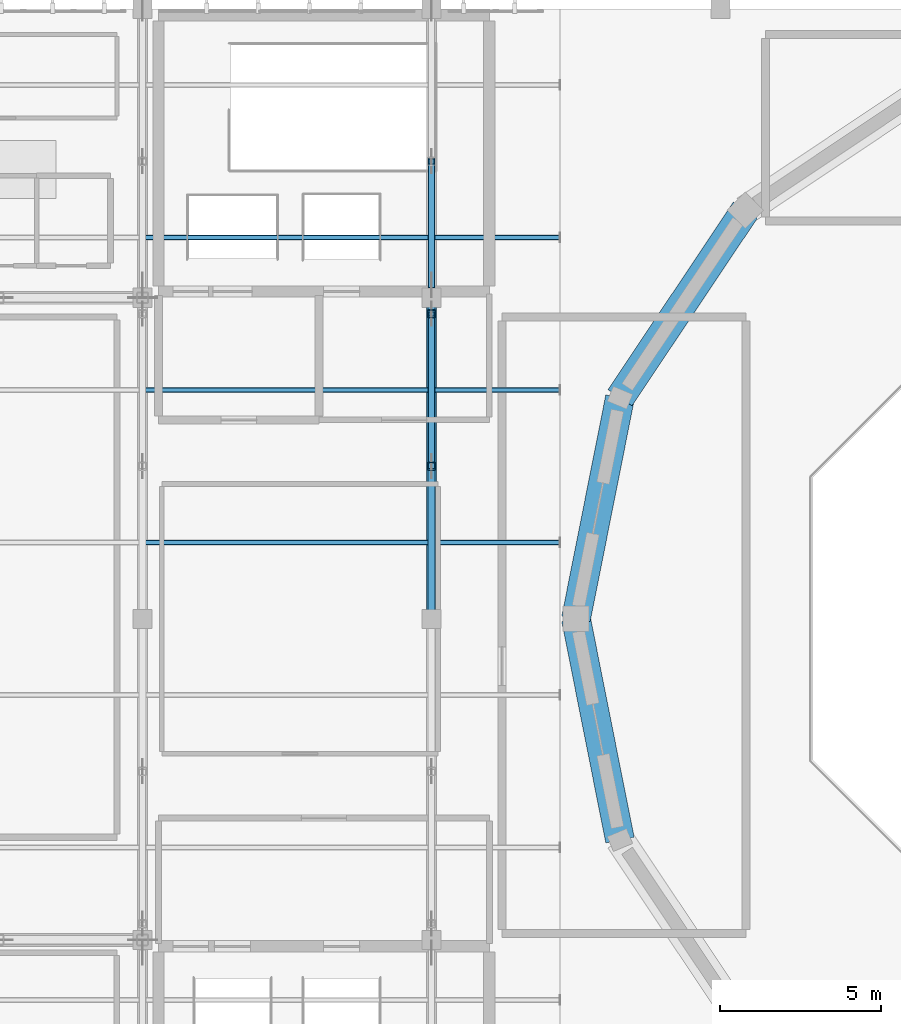
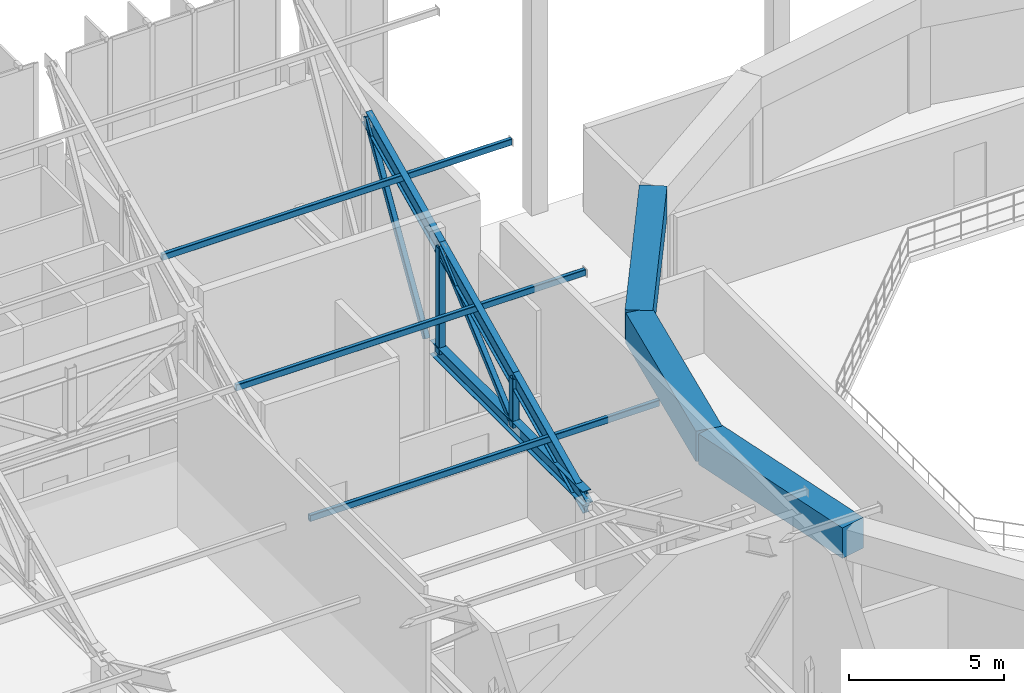
# One storey, part 27 of 68: 7 beams, 7 members.
"""IFC4 building model written with IfcOpenShell, lengths in metres."""

from ifc_helpers import new_model, si_unit, direction, frame, origin, origin_2d, place, context, subcontext, project, spatial, rectangle, hollow_rectangle, i_section, extrude, material, material_profile, profile_set, type_object, element, save


model = new_model("IFC4")

# Units and contexts
model_context = context("Model", 3, precision=1e-05, world=origin(), true_north=direction((0.0, 1.0)))
body_context = subcontext(model_context, "Body", "Model", "MODEL_VIEW")
ifc_project = project(units=[si_unit("LENGTHUNIT", "METRE"), si_unit("AREAUNIT", "SQUARE_METRE"), si_unit("VOLUMEUNIT", "CUBIC_METRE"), si_unit("PLANEANGLEUNIT", "RADIAN"), si_unit("MASSUNIT", "GRAM", prefix="KILO")], contexts=[model_context])

# Site, building, storey
site_placement = place(None, origin())
site = spatial("IfcSite", under=ifc_project, at=site_placement, CompositionType="ELEMENT")
building_placement = place(site_placement, origin())
building = spatial("IfcBuilding", under=site, at=building_placement, Name="Miravela Opera House", CompositionType="ELEMENT")
storey_placement = place(building_placement, frame((0.0, 0.0, 21.760009765625)))
storey = spatial("IfcBuildingStorey", under=building, at=storey_placement, Name="L05", CompositionType="ELEMENT", Elevation=21.760009765625)

# Beams
ifc_material_1 = material(Name="Structural steel ASTM A992 Gr. 50", Category="steel")
ifc_material_profile_1 = material_profile(ifc_material_1, i_section(OverallWidth=0.31201171875, OverallDepth=0.54296875, WebThickness=0.0126953125, FlangeThickness=0.020263671875, FilletRadius=0.01611328125, at=origin_2d()), Name="W530X150")
ifc_profile_set_1 = profile_set([ifc_material_profile_1])
beam_type_1 = type_object("IfcBeamType", Name="STR-BM-W530X150", PredefinedType="BEAM", material=ifc_profile_set_1)
beam_1_placement = place(storey_placement, frame((54.0, 56.080078125, 3.280029296875), z_axis=(0.0, 1.0, 0.0), x_axis=(-1.0, 0.0, 0.0)))
element("IfcBeam", 1, at=beam_1_placement, inside=storey, type_object=beam_type_1, Name="V-Crest Roof Truss Bottom Tie Chord X=54 Seg 3", PredefinedType="BEAM", context=body_context, shape_type="SweptSolid", body=[
    extrude(i_section(OverallWidth=0.31201171875, OverallDepth=0.54296875, WebThickness=0.0126953125, FlangeThickness=0.020263671875, FilletRadius=0.01611328125, at=origin_2d()), origin(), (0.0, 0.0, 1.0), 9.83984375),
])
ifc_material_profile_2 = material_profile(ifc_material_1, i_section(OverallWidth=0.22998046875, OverallDepth=0.616943359375, WebThickness=0.01318359375, FlangeThickness=0.022216796875, FilletRadius=0.01806640625, at=origin_2d()), Name="W610X140")
ifc_profile_set_2 = profile_set([ifc_material_profile_2])
beam_type_2 = type_object("IfcBeamType", Name="STR-BM-W610X140", PredefinedType="BEAM", material=ifc_profile_set_2)
for number, where, z_axis, x_axis, name in (
    (2, (54.0, 56.0, 2.939453125), (0.0, 0.903737838894, 0.428086344739), (-1.0, 0.0, 0.0), "V-Crest Roof Rafter Girder X=54 Seg 5"),
    (3, (54.0, 60.75, 5.189453125), (0.0, 0.903737838894, 0.428086344739), (-1.0, 0.0, 0.0), "V-Crest Roof Rafter Girder X=54 Seg 6"),
    (4, (54.0, 65.5, 7.439453125), (0.0, 0.903737838894, 0.428086344739), (-1.0, 0.0, 0.0), "V-Crest Roof Rafter Girder X=54 Seg 7"),
):
    element("IfcBeam", number, at=place(storey_placement, frame(where, z_axis=z_axis, x_axis=x_axis)), inside=storey, type_object=beam_type_2, Name=name, PredefinedType="BEAM", context=body_context, shape_type="SweptSolid", body=[
        extrude(i_section(OverallWidth=0.22998046875, OverallDepth=0.616943359375, WebThickness=0.01318359375, FlangeThickness=0.022216796875, FilletRadius=0.01806640625, at=origin_2d()), origin(), (0.0, 0.0, 1.0), 5.255859375),
    ])

# Members
ifc_material_2 = material(Name="Hollow structural steel ASTM A500 Gr. C", Category="steel")
ifc_material_profile_3 = material_profile(ifc_material_2, hollow_rectangle(XDim=0.25, YDim=0.25, WallThickness=0.011962890625, InnerFilletRadius=0.011962890625, OuterFilletRadius=0.02392578125, at=origin_2d()), Name="HSS250X250X12")
ifc_profile_set_3 = profile_set([ifc_material_profile_3])
member_type_1 = type_object("IfcMemberType", Name="STR-MEM-CANT-POST2", PredefinedType="POST", material=ifc_profile_set_3)
member_1_placement = place(storey_placement, frame((54.0, 60.75, 3.280029296875), z_axis=(0.0, 0.0, 1.0), x_axis=(1.0, 0.0, 0.0)))
element("IfcMember", 5, at=member_1_placement, inside=storey, type_object=member_type_1, Name="V-Crest Roof Truss Panel Post X=54 Node 5", PredefinedType="POST", context=body_context, shape_type="SweptSolid", body=[
    extrude(hollow_rectangle(XDim=0.25, YDim=0.25, WallThickness=0.011962890625, InnerFilletRadius=0.011962890625, OuterFilletRadius=0.02392578125, at=origin_2d()), origin(), (0.0, 0.0, 1.0), 1.909912109375),
])
member_2_placement = place(storey_placement, frame((54.0, 65.5, 3.280029296875), z_axis=(0.0, 0.0, 1.0), x_axis=(1.0, 0.0, 0.0)))
element("IfcMember", 6, at=member_2_placement, inside=storey, type_object=member_type_1, Name="V-Crest Roof Truss Panel Post X=54 Node 6", PredefinedType="POST", context=body_context, shape_type="SweptSolid", body=[
    extrude(hollow_rectangle(XDim=0.25, YDim=0.25, WallThickness=0.011962890625, InnerFilletRadius=0.011962890625, OuterFilletRadius=0.02392578125, at=origin_2d()), origin(), (0.0, 0.0, 1.0), 4.159912109375),
])
ifc_material_profile_4 = material_profile(ifc_material_2, hollow_rectangle(XDim=0.14990234375, YDim=0.25, WallThickness=0.011962890625, InnerFilletRadius=0.011962890625, OuterFilletRadius=0.02392578125, at=origin_2d()), Name="HSS250X150X12")
ifc_profile_set_4 = profile_set([ifc_material_profile_4])
member_type_2 = type_object("IfcMemberType", Name="STR-MEM-PURLIN-1", PredefinedType="PURLIN", material=ifc_profile_set_4)
for number, where, z_axis, x_axis, name in (
    (7, (45.010009765625, 58.375, 4.244873046875), (1.0, 0.0, 0.0), (0.0, 1.0, 0.0), "V-Roof Steel Purlin B5.4"),
    (8, (45.010009765625, 63.125, 6.494873046875), (1.0, 0.0, 0.0), (0.0, 1.0, 0.0), "V-Roof Steel Purlin B6.4"),
    (9, (45.010009765625, 67.875, 8.744873046875), (1.0, 0.0, 0.0), (0.0, 1.0, 0.0), "V-Roof Steel Purlin B7.4"),
):
    element("IfcMember", number, at=place(storey_placement, frame(where, z_axis=z_axis, x_axis=x_axis)), inside=storey, type_object=member_type_2, Name=name, PredefinedType="PURLIN", context=body_context, shape_type="SweptSolid", body=[
        extrude(hollow_rectangle(XDim=0.14990234375, YDim=0.25, WallThickness=0.011962890625, InnerFilletRadius=0.011962890625, OuterFilletRadius=0.02392578125, at=origin_2d()), origin(), (0.0, 0.0, 1.0), 12.97998046875),
    ])
ifc_material_profile_5 = material_profile(ifc_material_2, hollow_rectangle(XDim=0.199951171875, YDim=0.199951171875, WallThickness=0.010009765625, InnerFilletRadius=0.010009765625, OuterFilletRadius=0.02001953125, at=origin_2d()), Name="HSS200X200X10")
ifc_profile_set_5 = profile_set([ifc_material_profile_5])
member_type_3 = type_object("IfcMemberType", Name="STR-MEM-WEDGE-WEB", PredefinedType="BRACE", material=ifc_profile_set_5)
member_3_placement = place(storey_placement, frame((54.0, 60.75, 3.280029296875), z_axis=(0.0, 0.752289193007, 0.658833036577), x_axis=(-1.0, 0.0, 0.0)))
element("IfcMember", 10, at=member_3_placement, inside=storey, type_object=member_type_3, Name="V-Crest Roof Truss Web Diagonal X=54 Bay 6", PredefinedType="BRACE", context=body_context, shape_type="SweptSolid", body=[
    extrude(hollow_rectangle(XDim=0.199951171875, YDim=0.199951171875, WallThickness=0.010009765625, InnerFilletRadius=0.010009765625, OuterFilletRadius=0.02001953125, at=origin_2d()), origin(), (0.0, 0.0, 1.0), 6.31396484375),
])
member_4_placement = place(storey_placement, frame((54.0, 66.39990234375, 3.280029296875), z_axis=(0.0, 0.514903832718, 0.857247947243), x_axis=(-1.0, 0.0, 0.0)))
element("IfcMember", 11, at=member_4_placement, inside=storey, type_object=member_type_3, Name="V-Crest Roof Truss Web Diagonal X=54 Bay 7", PredefinedType="BRACE", context=body_context, shape_type="SweptSolid", body=[
    extrude(hollow_rectangle(XDim=0.199951171875, YDim=0.199951171875, WallThickness=0.010009765625, InnerFilletRadius=0.010009765625, OuterFilletRadius=0.02001953125, at=origin_2d()), origin(), (0.0, 0.0, 1.0), 7.477294921875),
])

# Beams
ifc_material_3 = material(Name="Concrete C40/50", Category="concrete")
ifc_material_profile_6 = material_profile(ifc_material_3, rectangle(XDim=0.89990234375, YDim=1.199951171875, at=origin_2d()), Name="RC-RING-900X1200")
ifc_profile_set_6 = profile_set([ifc_material_profile_6])
beam_type_3 = type_object("IfcBeamType", Name="STR-RING-RC900X1200", PredefinedType="BEAM", material=ifc_profile_set_6)
beam_2_placement = place(storey_placement, frame((63.772216796875, 68.727783203125, 3.860107421875), z_axis=(-0.555590303377, -0.831456201368, 0.0), x_axis=(0.831456201368, -0.555590303377, 0.0)))
element("IfcBeam", 12, at=beam_2_placement, inside=storey, type_object=beam_type_3, Name="Auditorium Dome Tension Ring Beam Seg 07", PredefinedType="BEAM", context=body_context, shape_type="SweptSolid", body=[
    extrude(rectangle(XDim=0.89990234375, YDim=1.199951171875, at=origin_2d()), origin(), (0.0, 0.0, 1.0), 7.0234375),
])
for number, where, z_axis, x_axis, name in (
    (13, (59.8701171875, 62.88818359375, 3.860107421875), (-0.19508652554, -0.980786035562, 0.0), (0.980786035562, -0.19508652554, 0.0), "Auditorium Dome Tension Ring Beam Seg 08"),
    (14, (58.5, 56.0, 3.860107421875), (0.19508652554, -0.980786035562, 0.0), (0.980786035562, 0.19508652554, 0.0), "Auditorium Dome Tension Ring Beam Seg 09"),
):
    element("IfcBeam", number, at=place(storey_placement, frame(where, z_axis=z_axis, x_axis=x_axis)), inside=storey, type_object=beam_type_3, Name=name, PredefinedType="BEAM", context=body_context, shape_type="SweptSolid", body=[
        extrude(rectangle(XDim=0.89990234375, YDim=1.199951171875, at=origin_2d()), origin(), (0.0, 0.0, 1.0), 7.023193359375),
    ])

save(model, "model.ifc")
